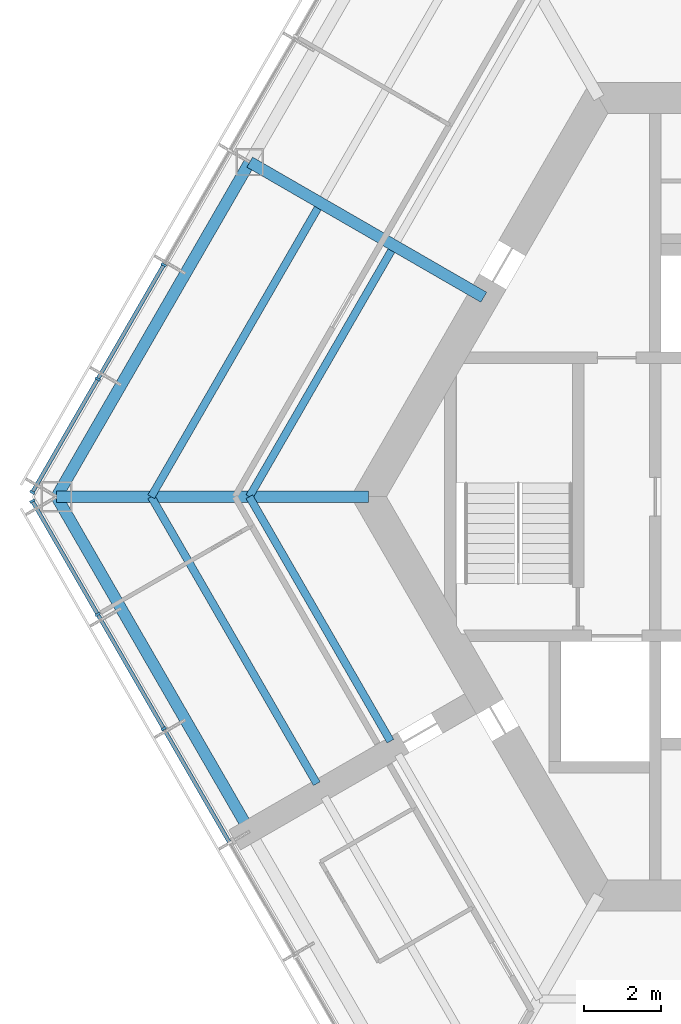
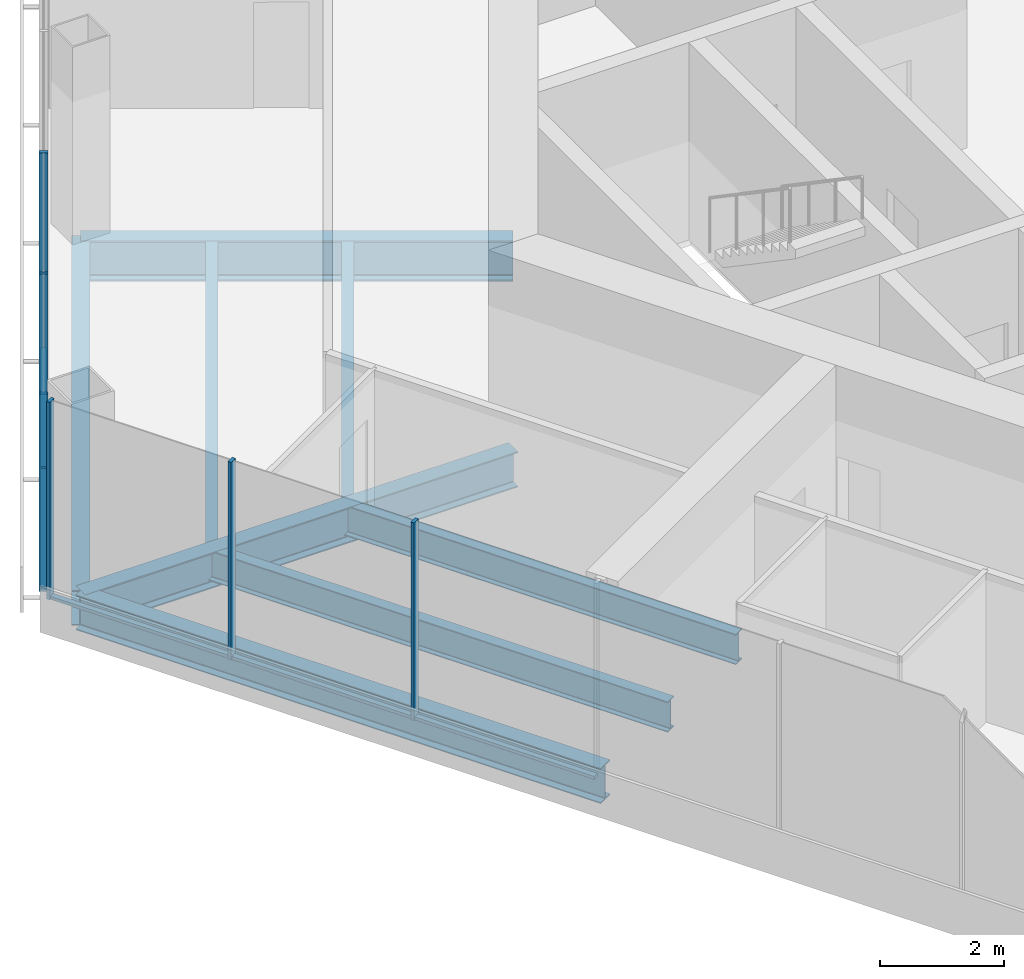
# One storey, part 3 of 15: 11 members, 8 beams, 2 elements without a shape of their own.
"""IFC4 building model written with IfcOpenShell, lengths in metres."""

from ifc_helpers import new_model, si_unit, direction, frame, origin, origin_2d, place, context, subcontext, project, spatial, rectangle, i_section, extrude, material, material_profile, profile_set, type_object, element, aggregate, save


model = new_model("IFC4")

# Units and contexts
model_context = context("Model", 3, precision=1e-05, world=origin(), true_north=direction((0.0, 1.0)))
body_context = subcontext(model_context, "Body", "Model", "MODEL_VIEW")
ifc_project = project(units=[si_unit("LENGTHUNIT", "METRE"), si_unit("AREAUNIT", "SQUARE_METRE"), si_unit("VOLUMEUNIT", "CUBIC_METRE"), si_unit("PLANEANGLEUNIT", "RADIAN"), si_unit("MASSUNIT", "GRAM", prefix="KILO")], contexts=[model_context])

# Site, building, storey
site_placement = place(None, origin())
site = spatial("IfcSite", under=ifc_project, at=site_placement, CompositionType="ELEMENT")
building_placement = place(site_placement, origin())
building = spatial("IfcBuilding", under=site, at=building_placement, Name="Kasaneha Research Tower", CompositionType="ELEMENT")
storey_placement = place(building_placement, frame((0.0, 0.0, 240.10009765625)))
storey = spatial("IfcBuildingStorey", under=building, at=storey_placement, Name="L60", CompositionType="ELEMENT", Elevation=240.10009765625)

# Beams
ifc_material_1 = material(Name="Steel SN490B", Category="steel")
ifc_material_profile_1 = material_profile(ifc_material_1, i_section(OverallWidth=0.199951171875, OverallDepth=0.60009765625, WebThickness=0.010986328125, FlangeThickness=0.01708984375, FilletRadius=0.012939453125, at=origin_2d()), Name="H-600x200x11x17")
ifc_profile_set_1 = profile_set([ifc_material_profile_1], Name="Steel SN490B")
beam_type_1 = type_object("IfcBeamType", Name="B1-3 secondary beam H-600x200x11x17", PredefinedType="JOIST", material=ifc_profile_set_1)
beam_1_placement = place(storey_placement, frame((-15.010986328125, 0.0, -0.4501953125), z_axis=(0.499994443168, 0.866028611999, 0.0), x_axis=(-0.866028611999, 0.499994443168, 0.0)))
element("IfcBeam", 1, at=beam_1_placement, inside=storey, type_object=beam_type_1, Name="Secondary beam RS150R1 L60", PredefinedType="JOIST", context=body_context, shape_type="SweptSolid", body=[
    extrude(i_section(OverallWidth=0.199951171875, OverallDepth=0.60009765625, WebThickness=0.010986328125, FlangeThickness=0.01708984375, FilletRadius=0.012939453125, at=origin_2d()), origin(), (0.0, 0.0, 1.0), 7.35546875),
])
beam_2_placement = place(storey_placement, frame((-17.551513671875, 0.0, -0.4501953125), z_axis=(0.5000050195, 0.866022505755, 0.0), x_axis=(-0.866022505755, 0.5000050195, 0.0)))
element("IfcBeam", 2, at=beam_2_placement, inside=storey, type_object=beam_type_1, Name="Secondary beam RS150R2 L60", PredefinedType="JOIST", context=body_context, shape_type="SweptSolid", body=[
    extrude(i_section(OverallWidth=0.199951171875, OverallDepth=0.60009765625, WebThickness=0.010986328125, FlangeThickness=0.01708984375, FilletRadius=0.012939453125, at=origin_2d()), origin(), (0.0, 0.0, 1.0), 8.6259765625),
])
beam_3_placement = place(storey_placement, frame((-15.010986328125, 0.0, -0.4501953125), z_axis=(0.499974128195, -0.866040340363, 0.0), x_axis=(0.866040340363, 0.499974128195, 0.0)))
element("IfcBeam", 3, at=beam_3_placement, inside=storey, type_object=beam_type_1, Name="Secondary beam RS210L1 L60", PredefinedType="JOIST", context=body_context, shape_type="SweptSolid", body=[
    extrude(i_section(OverallWidth=0.199951171875, OverallDepth=0.60009765625, WebThickness=0.010986328125, FlangeThickness=0.01708984375, FilletRadius=0.012939453125, at=origin_2d()), origin(), (0.0, 0.0, 1.0), 7.3056640625),
])
beam_4_placement = place(storey_placement, frame((-17.551513671875, 0.0, -0.4501953125), z_axis=(0.500000102728, -0.866025344474, 0.0), x_axis=(0.866025344474, 0.500000102728, 0.0)))
element("IfcBeam", 4, at=beam_4_placement, inside=storey, type_object=beam_type_1, Name="Secondary beam RS210L2 L60", PredefinedType="JOIST", context=body_context, shape_type="SweptSolid", body=[
    extrude(i_section(OverallWidth=0.199951171875, OverallDepth=0.60009765625, WebThickness=0.010986328125, FlangeThickness=0.01708984375, FilletRadius=0.012939453125, at=origin_2d()), origin(), (0.0, 0.0, 1.0), 8.57568359375),
])

# Curtain wall, members
ifc_material_2 = material(Name="Glass and aluminium", Category="aluminium")
curtain_wall_type = type_object("IfcCurtainWallType", Name="High-rise office curtain wall", PredefinedType="USERDEFINED", material=ifc_material_2)
curtain_wall_1_placement = place(storey_placement, origin())
curtain_wall_1 = element("IfcCurtainWall", 5, at=curtain_wall_1_placement, inside=storey, type_object=curtain_wall_type, Name="CW-O3 L60 run 03a", ObjectType="UNITISED CURTAIN WALL", PredefinedType="USERDEFINED")
ifc_material_3 = material(Name="Aluminium 6063-T6", Category="aluminium")
ifc_material_profile_2 = material_profile(ifc_material_3, rectangle(XDim=0.06005859375, YDim=0.139892578125, at=origin_2d()), Name="CW-O3 mullion 60x140")
ifc_profile_set_2 = profile_set([ifc_material_profile_2], Name="Aluminium 6063-T6")
member_type_1 = type_object("IfcMemberType", Name="CW-O3 mullion", PredefinedType="MULLION", material=ifc_profile_set_2)
member_1_placement = place(storey_placement, frame((-17.227294921875, 6.00244140625, 0.0), z_axis=(0.0, 0.0, 1.0), x_axis=(-0.499999995722, -0.866025406254, 0.0)))
member_1 = element("IfcMember", 6, at=member_1_placement, type_object=member_type_1, Name="CW-O3 mullion 5", PredefinedType="MULLION", context=body_context, shape_type="SweptSolid", body=[
    extrude(rectangle(XDim=0.06005859375, YDim=0.139892578125, at=origin_2d()), origin(), (0.0, 0.0, 1.0), 3.89990234375),
])
member_2_placement = place(storey_placement, frame((-18.93505859375, 3.04443359375, 0.0), z_axis=(0.0, 0.0, 1.0), x_axis=(-0.499999995722, -0.866025406254, 0.0)))
member_2 = element("IfcMember", 7, at=member_2_placement, type_object=member_type_1, Name="CW-O3 mullion 6", PredefinedType="MULLION", context=body_context, shape_type="SweptSolid", body=[
    extrude(rectangle(XDim=0.06005859375, YDim=0.139892578125, at=origin_2d()), origin(), (0.0, 0.0, 1.0), 3.89990234375),
])
member_3_placement = place(storey_placement, frame((-20.6279296875, 0.112548828125, 0.0), z_axis=(0.0, 0.0, 1.0), x_axis=(-0.499999995722, -0.866025406254, 0.0)))
member_3 = element("IfcMember", 8, at=member_3_placement, type_object=member_type_1, Name="CW-O3 mullion 7", PredefinedType="MULLION", context=body_context, shape_type="SweptSolid", body=[
    extrude(rectangle(XDim=0.06005859375, YDim=0.139892578125, at=origin_2d()), origin(), (0.0, 0.0, 1.0), 3.89990234375),
])

curtain_wall_2_placement = place(storey_placement, origin())
curtain_wall_2 = element("IfcCurtainWall", 9, at=curtain_wall_2_placement, inside=storey, type_object=curtain_wall_type, Name="CW-O3 L60 run 04a", ObjectType="UNITISED CURTAIN WALL", PredefinedType="USERDEFINED")
member_4_placement = place(storey_placement, frame((-20.6279296875, -0.112548828125, 0.0), z_axis=(0.0, 0.0, 1.0), x_axis=(0.499999995722, -0.866025406254, 0.0)))
member_4 = element("IfcMember", 10, at=member_4_placement, type_object=member_type_1, Name="CW-O3 mullion 1", PredefinedType="MULLION", context=body_context, shape_type="SweptSolid", body=[
    extrude(rectangle(XDim=0.06005859375, YDim=0.139892578125, at=origin_2d()), origin(), (0.0, 0.0, 1.0), 3.89990234375),
])
member_5_placement = place(storey_placement, frame((-18.93505859375, -3.04443359375, 0.0), z_axis=(0.0, 0.0, 1.0), x_axis=(0.499999995722, -0.866025406254, 0.0)))
member_5 = element("IfcMember", 11, at=member_5_placement, type_object=member_type_1, Name="CW-O3 mullion 2", PredefinedType="MULLION", context=body_context, shape_type="SweptSolid", body=[
    extrude(rectangle(XDim=0.06005859375, YDim=0.139892578125, at=origin_2d()), origin(), (0.0, 0.0, 1.0), 3.89990234375),
])
member_6_placement = place(storey_placement, frame((-17.227294921875, -6.00244140625, 0.0), z_axis=(0.0, 0.0, 1.0), x_axis=(0.499999995722, -0.866025406254, 0.0)))
member_6 = element("IfcMember", 12, at=member_6_placement, type_object=member_type_1, Name="CW-O3 mullion 3", PredefinedType="MULLION", context=body_context, shape_type="SweptSolid", body=[
    extrude(rectangle(XDim=0.06005859375, YDim=0.139892578125, at=origin_2d()), origin(), (0.0, 0.0, 1.0), 3.89990234375),
])

# Member
ifc_material_4 = material(Name="Aluminium 6063-T6", Category="aluminium")
ifc_material_profile_3 = material_profile(ifc_material_4, rectangle(XDim=0.10009765625, YDim=0.06005859375, at=origin_2d()), Name="CW-O3 transom 100x60")
ifc_profile_set_3 = profile_set([ifc_material_profile_3], Name="Aluminium 6063-T6")
member_type_2 = type_object("IfcMemberType", Name="CW-O3 transom", PredefinedType="USERDEFINED", material=ifc_profile_set_3)
member_7_placement = place(storey_placement, frame((-17.242431640625, 5.976318359375, 0.02978515625), z_axis=(-0.500020578564, -0.866013522419, 0.0), x_axis=(0.866013522419, -0.500020578564, 0.0)))
member_7 = element("IfcMember", 13, at=member_7_placement, type_object=member_type_2, Name="CW-O3 transom 5", ObjectType="TRANSOM", PredefinedType="USERDEFINED", context=body_context, shape_type="SweptSolid", body=[
    extrude(rectangle(XDim=0.10009765625, YDim=0.06005859375, at=origin_2d()), origin(), (0.0, 0.0, 1.0), 3.355224609375),
])

member_8_placement = place(storey_placement, frame((-18.9501953125, 3.0185546875, 0.02978515625), z_axis=(-0.49997666526, -0.866038875684, 0.0), x_axis=(0.866038875684, -0.49997666526, 0.0)))
member_8 = element("IfcMember", 14, at=member_8_placement, type_object=member_type_2, Name="CW-O3 transom 6", ObjectType="TRANSOM", PredefinedType="USERDEFINED", context=body_context, shape_type="SweptSolid", body=[
    extrude(rectangle(XDim=0.10009765625, YDim=0.06005859375, at=origin_2d()), origin(), (0.0, 0.0, 1.0), 3.325439453125),
])

aggregate(curtain_wall_1, [member_1, member_2, member_3, member_7, member_8])

member_9_placement = place(storey_placement, frame((-20.61279296875, -0.138671875, 0.02978515625), z_axis=(0.49997666526, -0.866038875684, 0.0), x_axis=(0.866038875684, 0.49997666526, 0.0)))
member_9 = element("IfcMember", 15, at=member_9_placement, type_object=member_type_2, Name="CW-O3 transom 1", ObjectType="TRANSOM", PredefinedType="USERDEFINED", context=body_context, shape_type="SweptSolid", body=[
    extrude(rectangle(XDim=0.10009765625, YDim=0.06005859375, at=origin_2d()), origin(), (0.0, 0.0, 1.0), 3.325439453125),
])

member_10_placement = place(storey_placement, frame((-18.920166015625, -3.070556640625, 0.02978515625), z_axis=(0.500020578564, -0.866013522419, 0.0), x_axis=(0.866013522419, 0.500020578564, 0.0)))
member_10 = element("IfcMember", 16, at=member_10_placement, type_object=member_type_2, Name="CW-O3 transom 2", ObjectType="TRANSOM", PredefinedType="USERDEFINED", context=body_context, shape_type="SweptSolid", body=[
    extrude(rectangle(XDim=0.10009765625, YDim=0.06005859375, at=origin_2d()), origin(), (0.0, 0.0, 1.0), 3.355224609375),
])

member_11_placement = place(storey_placement, frame((-17.21240234375, -6.0283203125, 0.02978515625), z_axis=(0.499989072476, -0.866031712701, 0.0), x_axis=(0.866031712701, 0.499989072476, 0.0)))
member_11 = element("IfcMember", 17, at=member_11_placement, type_object=member_type_2, Name="CW-O3 transom 3", ObjectType="TRANSOM", PredefinedType="USERDEFINED", context=body_context, shape_type="SweptSolid", body=[
    extrude(rectangle(XDim=0.10009765625, YDim=0.06005859375, at=origin_2d()), origin(), (0.0, 0.0, 1.0), 3.35546875),
])

aggregate(curtain_wall_2, [member_4, member_5, member_6, member_9, member_10, member_11])

# Beams
ifc_material_5 = material(Name="Steel SN490B", Category="steel")
ifc_material_profile_4 = material_profile(ifc_material_5, i_section(OverallWidth=0.300048828125, OverallDepth=0.699951171875, WebThickness=0.012939453125, FlangeThickness=0.02392578125, FilletRadius=0.01806640625, at=origin_2d()), Name="H-700x300x13x24")
ifc_profile_set_4 = profile_set([ifc_material_profile_4], Name="Steel SN490B")
beam_type_2 = type_object("IfcBeamType", Name="G1-3 radial girder H-700x300x13x24", PredefinedType="BEAM", material=ifc_profile_set_4)
beam_5_placement = place(storey_placement, frame((-11.92236328125, 0.0, -0.5), z_axis=(-1.0, 0.0, 0.0), x_axis=(0.0, -1.0, 0.0)))
element("IfcBeam", 18, at=beam_5_placement, inside=storey, type_object=beam_type_2, Name="Radial girder RV180 L60", PredefinedType="BEAM", context=body_context, shape_type="SweptSolid", body=[
    extrude(i_section(OverallWidth=0.300048828125, OverallDepth=0.699951171875, WebThickness=0.012939453125, FlangeThickness=0.02392578125, FilletRadius=0.01806640625, at=origin_2d()), origin(), (0.0, 0.0, 1.0), 8.07763671875),
])
ifc_material_6 = material(Name="Steel SN490B", Category="steel")
ifc_material_profile_5 = material_profile(ifc_material_6, i_section(OverallWidth=0.300048828125, OverallDepth=0.800048828125, WebThickness=0.013916015625, FlangeThickness=0.02587890625, FilletRadius=0.01806640625, at=origin_2d()), Name="H-800x300x14x26")
ifc_profile_set_5 = profile_set([ifc_material_profile_5], Name="Steel SN490B")
beam_type_3 = type_object("IfcBeamType", Name="G2-3 radial girder H-800x300x14x26", PredefinedType="BEAM", material=ifc_profile_set_5)
beam_6_placement = place(storey_placement, frame((-8.941650390625, 5.16259765625, -0.550048828125), z_axis=(-0.866039713508, 0.499975214012, 0.0), x_axis=(-0.499975214012, -0.866039713508, 0.0)))
element("IfcBeam", 19, at=beam_6_placement, inside=storey, type_object=beam_type_3, Name="Radial girder RM150 L60", PredefinedType="BEAM", context=body_context, shape_type="SweptSolid", body=[
    extrude(i_section(OverallWidth=0.300048828125, OverallDepth=0.800048828125, WebThickness=0.013916015625, FlangeThickness=0.02587890625, FilletRadius=0.01806640625, at=origin_2d()), origin(), (0.0, 0.0, 1.0), 6.995361328125),
])
ifc_material_7 = material(Name="Steel SN490B", Category="steel")
ifc_material_profile_6 = material_profile(ifc_material_7, i_section(OverallWidth=0.300048828125, OverallDepth=0.69189453125, WebThickness=0.012939453125, FlangeThickness=0.02001953125, FilletRadius=0.01806640625, at=origin_2d()), Name="H-692x300x13x20")
ifc_profile_set_6 = profile_set([ifc_material_profile_6], Name="Steel SN490B")
beam_type_4 = type_object("IfcBeamType", Name="G3-3 plate edge girder H-692x300x13x20", PredefinedType="BEAM", material=ifc_profile_set_6)
beam_7_placement = place(storey_placement, frame((-20.0, 0.0, -0.49609375), z_axis=(0.49999201416, -0.866030014362, 0.0), x_axis=(0.866030014362, 0.49999201416, 0.0)))
element("IfcBeam", 20, at=beam_7_placement, inside=storey, type_object=beam_type_4, Name="Plate edge girder PEBP L60", PredefinedType="BEAM", context=body_context, shape_type="SweptSolid", body=[
    extrude(i_section(OverallWidth=0.300048828125, OverallDepth=0.69189453125, WebThickness=0.012939453125, FlangeThickness=0.02001953125, FilletRadius=0.01806640625, at=origin_2d()), origin(), (0.0, 0.0, 1.0), 9.800048828125),
])
ifc_material_8 = material(Name="Steel SN490B", Category="steel")
ifc_material_profile_7 = material_profile(ifc_material_8, i_section(OverallWidth=0.300048828125, OverallDepth=0.69189453125, WebThickness=0.012939453125, FlangeThickness=0.02001953125, FilletRadius=0.01806640625, at=origin_2d()), Name="H-692x300x13x20")
ifc_profile_set_7 = profile_set([ifc_material_profile_7], Name="Steel SN490B")
beam_type_5 = type_object("IfcBeamType", Name="SB1-3 spandrel beam H-692x300x13x20", PredefinedType="SPANDREL", material=ifc_profile_set_7)
beam_8_placement = place(storey_placement, frame((-20.0, 0.0, -0.49609375), z_axis=(0.500004234368, 0.866022959057, 0.0), x_axis=(-0.866022959057, 0.500004234368, 0.0)))
element("IfcBeam", 21, at=beam_8_placement, inside=storey, type_object=beam_type_5, Name="Spandrel beam SR150R L60", PredefinedType="SPANDREL", context=body_context, shape_type="SweptSolid", body=[
    extrude(i_section(OverallWidth=0.300048828125, OverallDepth=0.69189453125, WebThickness=0.012939453125, FlangeThickness=0.02001953125, FilletRadius=0.01806640625, at=origin_2d()), origin(), (0.0, 0.0, 1.0), 10.0),
])

save(model, "model.ifc")
